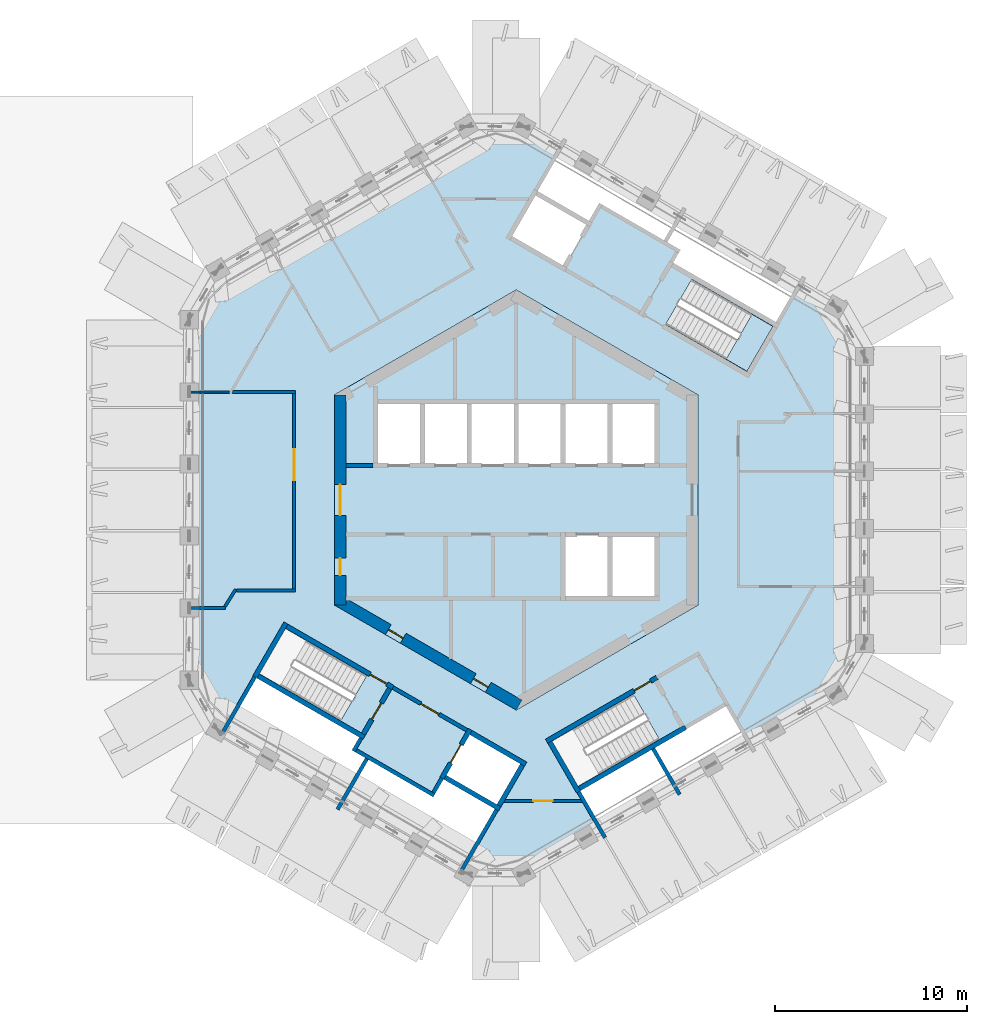
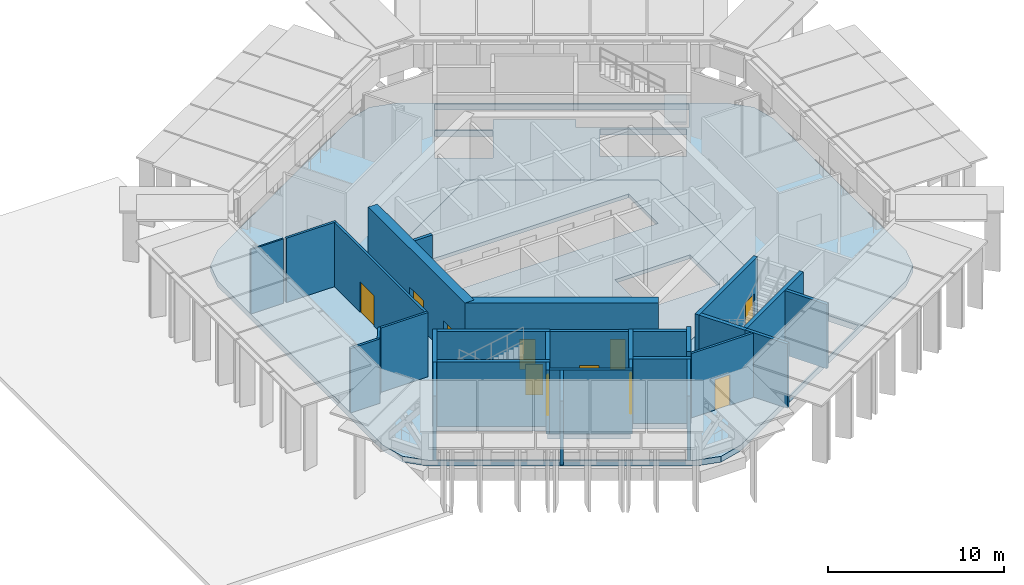
# One storey, part 6 of 15: 30 walls, 11 doors, 3 slabs, 11 openings, 1 element without a shape of its own.
"""IFC4 building model written with IfcOpenShell, lengths in metres."""

from ifc_helpers import new_model, si_unit, direction, frame, frame_2d, origin, place, context, subcontext, project, spatial, polyline, rectangle, outline, extrude, material, layer, layer_set, type_object, element, fill, aggregate, save


model = new_model("IFC4")

# Units and contexts
model_context = context("Model", 3, precision=1e-05, world=origin(), true_north=direction((0.0, 1.0)))
body_context = subcontext(model_context, "Body", "Model", "MODEL_VIEW")
ifc_project = project(units=[si_unit("LENGTHUNIT", "METRE"), si_unit("AREAUNIT", "SQUARE_METRE"), si_unit("VOLUMEUNIT", "CUBIC_METRE"), si_unit("PLANEANGLEUNIT", "RADIAN"), si_unit("MASSUNIT", "GRAM", prefix="KILO")], contexts=[model_context])

# Site, building, storey
site_placement = place(None, origin())
site = spatial("IfcSite", under=ifc_project, at=site_placement, CompositionType="ELEMENT")
building_placement = place(site_placement, origin())
building = spatial("IfcBuilding", under=site, at=building_placement, Name="Ayvan Gate Tower", CompositionType="ELEMENT")
storey_placement = place(building_placement, frame((0.0, 0.0, 214.10009765625)))
storey = spatial("IfcBuildingStorey", under=building, at=storey_placement, Name="L57", CompositionType="ELEMENT", Elevation=214.10009765625)

# Slabs
ifc_material_1 = material(Name="Concrete C40/50", Category="concrete")
ifc_layer_1 = layer(ifc_material_1, 0.39990234375)
ifc_layer_set_1 = layer_set([ifc_layer_1], Name="Concrete C40/50")
slab_type_1 = type_object("IfcSlabType", Name="Post-tensioned flat slab 400", PredefinedType="FLOOR", material=ifc_layer_set_1)
slab_1_placement = place(storey_placement, frame((0.0, 0.0, -0.400146484375)))
element("IfcSlab", 1, at=slab_1_placement, inside=storey, type_object=slab_type_1, Name="SL-L57", PredefinedType="FLOOR", context=body_context, shape_type="SweptSolid", body=[
    extrude(outline(polyline([(-15.61474609375, -11.98486328125), (-16.712890625, -10.88671875), (-17.11474609375, -9.38671875), (-17.11474609375, 9.38671875), (-16.712890625, 10.88671875), (-15.61474609375, 11.98486328125), (-2.57177734375, 19.51513671875), (-1.07177734375, 19.917236328125), (0.42822265625, 19.51513671875), (16.6865234375, 10.12841796875), (17.78466796875, 9.030517578125), (18.1865234375, 7.530517578125), (18.1865234375, -7.530517578125), (17.78466796875, -9.030517578125), (16.6865234375, -10.12841796875), (0.42822265625, -19.51513671875), (-1.07177734375, -19.917236328125), (-2.57177734375, -19.51513671875), (-15.61474609375, -11.98486328125)]), holes=[polyline([(8.042724609375, 12.33056640625), (13.58544921875, 9.130615234375), (14.74267578125, 11.13525390625), (2.27197265625, 18.335205078125), (1.0146484375, 16.157470703125), (3.87255859375, 14.50732421875), (4.37255859375, 15.373291015625), (7.75, 13.42333984375), (8.44287109375, 13.0234375), (8.042724609375, 12.33056640625)]), polyline([(7.80615234375, 9.170654296875), (12.049560546875, 6.720458984375), (13.404541015625, 9.0673828125), (9.1611328125, 11.517578125), (7.80615234375, 9.170654296875)]), polyline([(3.554931640625, -15.75732421875), (4.3505859375, -17.13525390625), (12.144775390625, -12.63525390625), (10.9873046875, -10.630615234375), (8.735595703125, -11.9306640625), (7.090087890625, -12.880615234375), (3.193115234375, -15.130615234375), (3.554931640625, -15.75732421875)]), polyline([(-9.5, -5.48486328125), (0.0, -10.9697265625), (9.5, -5.48486328125), (9.5, 5.48486328125), (0.0, 10.9697265625), (-9.5, 5.48486328125), (-9.5, -5.48486328125)]), polyline([(6.117431640625, -10.1455078125), (1.873779296875, -12.595458984375), (3.228759765625, -14.9423828125), (7.472412109375, -12.492431640625), (6.117431640625, -10.1455078125)]), polyline([(0.964599609375, 16.07080078125), (0.005126953125, 14.408935546875), (-0.2353515625, 13.9921875), (-0.2607421875, 13.9482421875), (-0.385498046875, 13.732421875), (1.08447265625, 12.8837890625), (1.123291015625, 12.861572265625), (2.472412109375, 12.08251953125), (3.822509765625, 14.420654296875), (0.964599609375, 16.07080078125)]), polyline([(-1.611083984375, -12.579833984375), (-2.472412109375, -12.08251953125), (-3.822509765625, -14.420654296875), (-0.964599609375, -16.07080078125), (-0.760498046875, -15.717041015625), (0.385498046875, -13.732421875), (-0.6962890625, -13.10791015625), (-1.611083984375, -12.579833984375)]), polyline([(-15.278564453125, -12.0634765625), (-2.807861328125, -19.263427734375), (-1.0146484375, -16.157470703125), (-3.87255859375, -14.50732421875), (-4.37255859375, -15.373291015625), (-7.75, -13.42333984375), (-8.44287109375, -13.0234375), (-8.042724609375, -12.33056640625), (-13.58544921875, -9.130615234375), (-15.278564453125, -12.0634765625)]), polyline([(-13.404541015625, -9.0673828125), (-9.1611328125, -11.517578125), (-7.80615234375, -9.170654296875), (-12.049560546875, -6.720458984375), (-13.404541015625, -9.0673828125)])]), origin(), (0.0, 0.0, 1.0), 0.400146484375),
])
ifc_layer_2 = layer(ifc_material_1, 0.25)
ifc_layer_set_2 = layer_set([ifc_layer_2], Name="Concrete C40/50")
slab_type_2 = type_object("IfcSlabType", Name="SL-CORE-250", PredefinedType="FLOOR", material=ifc_layer_set_2)
slab_2_placement = place(storey_placement, frame((0.0, 0.0, -0.25)))
element("IfcSlab", 2, at=slab_2_placement, inside=storey, type_object=slab_type_2, Name="CS-L57", PredefinedType="FLOOR", context=body_context, shape_type="SweptSolid", body=[
    extrude(outline(polyline([(9.5, -5.48486328125), (0.0, -10.9697265625), (-9.5, -5.48486328125), (-9.5, 5.48486328125), (0.0, 10.9697265625), (9.5, 5.48486328125), (9.5, -5.48486328125)]), holes=[polyline([(-7.35009765625, 5.14990234375), (-7.35009765625, 1.800048828125), (7.35009765625, 1.800048828125), (7.35009765625, 5.14990234375), (-7.35009765625, 5.14990234375)]), polyline([(2.449951171875, -1.800048828125), (2.449951171875, -5.14990234375), (7.35009765625, -5.14990234375), (7.35009765625, -1.800048828125), (2.449951171875, -1.800048828125)])]), origin(), (0.0, 0.0, 1.0), 0.25),
])

# Stair, slab
stair_type = type_object("IfcStairType", Name="ST-EXIT", PredefinedType="HALF_TURN_STAIR", material=ifc_material_1)
stair_placement = place(storey_placement, origin())
stair = element("IfcStair", 3, at=stair_placement, inside=storey, type_object=stair_type, Name="L57 Exit Stair S1", PredefinedType="HALF_TURN_STAIR")
ifc_layer_3 = layer(ifc_material_1, 0.199951171875)
ifc_layer_set_3 = layer_set([ifc_layer_3], Name="Concrete C40/50")
slab_type_3 = type_object("IfcSlabType", Name="SL-LANDING-200", PredefinedType="LANDING", material=ifc_layer_set_3)
slab_3_placement = place(storey_placement, frame((0.0, 0.0, 2.199951171875)))
slab_3 = element("IfcSlab", 4, at=slab_3_placement, type_object=slab_type_3, Name="STS1 landing 1", PredefinedType="LANDING", context=body_context, shape_type="SweptSolid", body=[
    extrude(outline(polyline([(10.95849609375, 7.3505859375), (12.049560546875, 6.720458984375), (13.404541015625, 9.0673828125), (12.3134765625, 9.697509765625), (10.95849609375, 7.3505859375)])), origin(), (0.0, 0.0, 1.0), 0.199951171875),
])
aggregate(stair, [slab_3])

# Wall, openings, doors
ifc_material_2 = material(Name="Concrete C60/75", Category="concrete")
ifc_layer_4 = layer(ifc_material_2, 0.60009765625)
ifc_layer_set_4 = layer_set([ifc_layer_4], Name="Concrete C60/75")
wall_type_1 = type_object("IfcWallType", Name="Core wall 600 C60/75", PredefinedType="SHEAR", material=ifc_layer_set_4)
wall_1_placement = place(storey_placement, frame((-9.199951171875, 5.48486328125, 0.0), z_axis=(0.0, 0.0, 1.0), x_axis=(0.0, -1.0, 0.0)))
wall_1 = element("IfcWall", 5, at=wall_1_placement, inside=storey, type_object=wall_type_1, Name="CORE-L57-3", PredefinedType="SHEAR", context=body_context, shape_type="SweptSolid", body=[
    extrude(rectangle(XDim=10.9697265625, YDim=0.60009765625, at=frame_2d((5.48486328125, 0.0))), origin(), (0.0, 0.0, 1.0), 4.7998046875),
])
opening_1_placement = place(wall_1_placement, frame((8.51611328125, 0.0, 0.0)))
opening_1 = element("IfcOpeningElement", 6, at=opening_1_placement, cuts=wall_1, Name="Opening L57-D39", PredefinedType="OPENING", context=body_context, shape_type="SweptSolid", body=[
    extrude(rectangle(XDim=0.89990234375, YDim=2.10009765625, at=frame_2d((0.449951171875, 1.050048828125))), frame((0.0, 0.31005859375, 0.0), z_axis=(0.0, -1.0, 0.0), x_axis=(1.0, 0.0, 0.0)), (0.0, 0.0, 1.0), 0.6201171875),
])
opening_2_placement = place(wall_1_placement, frame((4.684814453125, 0.0, 0.0)))
opening_2 = element("IfcOpeningElement", 7, at=opening_2_placement, cuts=wall_1, Name="Opening L57-D41", PredefinedType="OPENING", context=body_context, shape_type="SweptSolid", body=[
    extrude(rectangle(XDim=1.60009765625, YDim=2.10009765625, at=frame_2d((0.800048828125, 1.050048828125))), frame((0.0, 0.31005859375, 0.0), z_axis=(0.0, -1.0, 0.0), x_axis=(1.0, 0.0, 0.0)), (0.0, 0.0, 1.0), 0.6201171875),
])
ifc_material_3 = material(Name="Timber door leaf", Category="wood")
door_type_1 = type_object("IfcDoorType", Name="DT-1600", OperationType="NOTDEFINED", PredefinedType="DOOR", material=ifc_material_3)
door_1_placement = place(opening_2_placement, origin())
door_1 = element("IfcDoor", 8, at=door_1_placement, inside=storey, type_object=door_type_1, Name="CD-L57-41", OperationType="SINGLE_SWING_RIGHT", OverallHeight=2.10009765625, OverallWidth=1.60009765625, PredefinedType="DOOR", context=body_context, shape_type="SweptSolid", body=[
    extrude(rectangle(XDim=1.60009765625, YDim=2.10009765625, at=frame_2d((0.800048828125, 1.050048828125))), frame((0.0, 0.02490234375, 0.0), z_axis=(0.0, -1.0, 0.0), x_axis=(1.0, 0.0, 0.0)), (0.0, 0.0, 1.0), 0.050048828125),
])
fill(opening_2, door_1)
door_type_2 = type_object("IfcDoorType", Name="DT-900", OperationType="NOTDEFINED", PredefinedType="DOOR", material=ifc_material_3)
door_2_placement = place(opening_1_placement, origin())
door_2 = element("IfcDoor", 9, at=door_2_placement, inside=storey, type_object=door_type_2, Name="CD-L57-39", OperationType="SINGLE_SWING_RIGHT", OverallHeight=2.10009765625, OverallWidth=0.89990234375, PredefinedType="DOOR", context=body_context, shape_type="SweptSolid", body=[
    extrude(rectangle(XDim=0.89990234375, YDim=2.10009765625, at=frame_2d((0.449951171875, 1.050048828125))), frame((0.0, 0.02490234375, 0.0), z_axis=(0.0, -1.0, 0.0), x_axis=(1.0, 0.0, 0.0)), (0.0, 0.0, 1.0), 0.050048828125),
])
fill(opening_1, door_2)

wall_2_placement = place(storey_placement, frame((-9.35009765625, -5.22509765625, 0.0), z_axis=(0.0, 0.0, 1.0), x_axis=(0.866023993627, -0.500002442456, 0.0)))
wall_2 = element("IfcWall", 10, at=wall_2_placement, inside=storey, type_object=wall_type_1, Name="CORE-L57-4", PredefinedType="SHEAR", context=body_context, shape_type="SweptSolid", body=[
    extrude(rectangle(XDim=10.9697265625, YDim=0.60009765625, at=frame_2d((5.48486328125, 0.0))), origin(), (0.0, 0.0, 1.0), 4.7998046875),
])
opening_3_placement = place(wall_2_placement, frame((3.083984375, 0.0, 0.0)))
opening_3 = element("IfcOpeningElement", 11, at=opening_3_placement, cuts=wall_2, Name="Opening L57-D36", PredefinedType="OPENING", context=body_context, shape_type="SweptSolid", body=[
    extrude(rectangle(XDim=0.89990234375, YDim=2.10009765625, at=frame_2d((0.449951171875, 1.050048828125))), frame((0.0, 0.31005859375, 0.0), z_axis=(0.0, -1.0, 0.0), x_axis=(1.0, 0.0, 0.0)), (0.0, 0.0, 1.0), 0.6201171875),
])
opening_4_placement = place(wall_2_placement, frame((8.209716796875, 0.0, 0.0)))
opening_4 = element("IfcOpeningElement", 12, at=opening_4_placement, cuts=wall_2, Name="Opening L57-D37", PredefinedType="OPENING", context=body_context, shape_type="SweptSolid", body=[
    extrude(rectangle(XDim=0.89990234375, YDim=2.10009765625, at=frame_2d((0.449951171875, 1.050048828125))), frame((0.0, 0.31005859375, 0.0), z_axis=(0.0, -1.0, 0.0), x_axis=(1.0, 0.0, 0.0)), (0.0, 0.0, 1.0), 0.6201171875),
])
door_3_placement = place(opening_3_placement, origin())
door_3 = element("IfcDoor", 13, at=door_3_placement, inside=storey, type_object=door_type_2, Name="CD-L57-36", OperationType="SINGLE_SWING_LEFT", OverallHeight=2.10009765625, OverallWidth=0.89990234375, PredefinedType="DOOR", context=body_context, shape_type="SweptSolid", body=[
    extrude(rectangle(XDim=0.89990234375, YDim=2.10009765625, at=frame_2d((0.449951171875, 1.050048828125))), frame((0.0, 0.02490234375, 0.0), z_axis=(0.0, -1.0, 0.0), x_axis=(1.0, 0.0, 0.0)), (0.0, 0.0, 1.0), 0.050048828125),
])
fill(opening_3, door_3)
door_4_placement = place(opening_4_placement, origin())
door_4 = element("IfcDoor", 14, at=door_4_placement, inside=storey, type_object=door_type_2, Name="CD-L57-37", OperationType="SINGLE_SWING_RIGHT", OverallHeight=2.10009765625, OverallWidth=0.89990234375, PredefinedType="DOOR", context=body_context, shape_type="SweptSolid", body=[
    extrude(rectangle(XDim=0.89990234375, YDim=2.10009765625, at=frame_2d((0.449951171875, 1.050048828125))), frame((0.0, 0.02490234375, 0.0), z_axis=(0.0, -1.0, 0.0), x_axis=(1.0, 0.0, 0.0)), (0.0, 0.0, 1.0), 0.050048828125),
])
fill(opening_4, door_4)

# Walls
ifc_material_4 = material(Name="Plasterboard on steel stud", Category="steel")
ifc_layer_5 = layer(ifc_material_4, 0.14990234375)
ifc_layer_set_5 = layer_set([ifc_layer_5], Name="Plasterboard on steel stud")
wall_type_2 = type_object("IfcWallType", Name="WT-CORR-150", PredefinedType="PARTITIONING", material=ifc_layer_set_5)
wall_3_placement = place(storey_placement, frame((-17.11474609375, -5.632080078125, 0.0), z_axis=(0.0, 0.0, 1.0), x_axis=(1.0, 0.0, 0.0)))
element("IfcWall", 15, at=wall_3_placement, inside=storey, type_object=wall_type_2, Name="IW-L57-000", PredefinedType="PARTITIONING", context=body_context, shape_type="SweptSolid", body=[
    extrude(rectangle(XDim=1.939208984375, YDim=0.14990234375, at=frame_2d((0.9697265625, 0.0))), origin(), (0.0, 0.0, 1.0), 4.449951171875),
])
wall_4_placement = place(storey_placement, frame((-15.210693359375, -5.568603515625, 0.0), z_axis=(0.0, 0.0, 1.0), x_axis=(0.530432882969, 0.847726935201, 0.0)))
element("IfcWall", 16, at=wall_4_placement, inside=storey, type_object=wall_type_2, Name="IW-L57-003", PredefinedType="PARTITIONING", context=body_context, shape_type="SweptSolid", body=[
    extrude(rectangle(XDim=1.061767578125, YDim=0.14990234375, at=frame_2d((0.53076171875, 0.0))), origin(), (0.0, 0.0, 1.0), 4.449951171875),
])
wall_5_placement = place(storey_placement, frame((-14.6123046875, -4.73193359375, 0.0), z_axis=(0.0, 0.0, 1.0), x_axis=(1.0, 0.0, 0.0)))
element("IfcWall", 17, at=wall_5_placement, inside=storey, type_object=wall_type_2, Name="IW-L57-005", PredefinedType="PARTITIONING", context=body_context, shape_type="SweptSolid", body=[
    extrude(rectangle(XDim=3.08740234375, YDim=0.14990234375, at=frame_2d((1.543701171875, 0.0))), origin(), (0.0, 0.0, 1.0), 4.449951171875),
])
wall_6_placement = place(storey_placement, frame((-11.52490234375, 5.632080078125, 0.0), z_axis=(0.0, 0.0, 1.0), x_axis=(-1.0, 0.0, 0.0)))
element("IfcWall", 18, at=wall_6_placement, inside=storey, type_object=wall_type_2, Name="IW-L57-010", PredefinedType="PARTITIONING", context=body_context, shape_type="SweptSolid", body=[
    extrude(rectangle(XDim=3.297119140625, YDim=0.14990234375, at=frame_2d((1.6484375, 0.0))), origin(), (0.0, 0.0, 1.0), 4.449951171875),
])

# Wall, opening, door
wall_7_placement = place(storey_placement, frame((-11.60009765625, -4.656982421875, 0.0), z_axis=(0.0, 0.0, 1.0), x_axis=(0.0, 1.0, 0.0)))
wall_7 = element("IfcWall", 19, at=wall_7_placement, inside=storey, type_object=wall_type_2, Name="IW-L57-011", PredefinedType="PARTITIONING", context=body_context, shape_type="SweptSolid", body=[
    extrude(rectangle(XDim=10.2138671875, YDim=0.14990234375, at=frame_2d((5.10693359375, 0.0))), origin(), (0.0, 0.0, 1.0), 4.449951171875),
])
opening_5_placement = place(wall_7_placement, frame((5.698486328125, 0.0, 0.0)))
opening_5 = element("IfcOpeningElement", 20, at=opening_5_placement, cuts=wall_7, Name="Opening L57-D23", PredefinedType="OPENING", context=body_context, shape_type="SweptSolid", body=[
    extrude(rectangle(XDim=1.60009765625, YDim=2.10009765625, at=frame_2d((0.800048828125, 1.050048828125))), frame((0.0, 0.0849609375, 0.0), z_axis=(0.0, -1.0, 0.0), x_axis=(1.0, 0.0, 0.0)), (0.0, 0.0, 1.0), 0.169921875),
])
door_5_placement = place(opening_5_placement, origin())
door_5 = element("IfcDoor", 21, at=door_5_placement, inside=storey, type_object=door_type_1, Name="ID-L57-023", OperationType="SINGLE_SWING_RIGHT", OverallHeight=2.10009765625, OverallWidth=1.60009765625, PredefinedType="DOOR", context=body_context, shape_type="SweptSolid", body=[
    extrude(rectangle(XDim=1.60009765625, YDim=2.10009765625, at=frame_2d((0.800048828125, 1.050048828125))), frame((0.0, 0.02490234375, 0.0), z_axis=(0.0, -1.0, 0.0), x_axis=(1.0, 0.0, 0.0)), (0.0, 0.0, 1.0), 0.050048828125),
])
fill(opening_5, door_5)

wall_8_placement = place(storey_placement, frame((3.431640625, -15.717041015625, 0.0), z_axis=(0.0, 0.0, 1.0), x_axis=(-1.0, 0.0, 0.0)))
wall_8 = element("IfcWall", 22, at=wall_8_placement, inside=storey, type_object=wall_type_2, Name="IW-L57-059", PredefinedType="PARTITIONING", context=body_context, shape_type="SweptSolid", body=[
    extrude(rectangle(XDim=4.067138671875, YDim=0.14990234375, at=frame_2d((2.03369140625, 0.0))), origin(), (0.0, 0.0, 1.0), 4.449951171875),
])
opening_6_placement = place(wall_8_placement, frame((1.53369140625, 0.0, 0.0)))
opening_6 = element("IfcOpeningElement", 23, at=opening_6_placement, cuts=wall_8, Name="Opening L57-D29", PredefinedType="OPENING", context=body_context, shape_type="SweptSolid", body=[
    extrude(rectangle(XDim=1.0, YDim=2.10009765625, at=frame_2d((0.5, 1.050048828125))), frame((0.0, 0.0849609375, 0.0), z_axis=(0.0, -1.0, 0.0), x_axis=(1.0, 0.0, 0.0)), (0.0, 0.0, 1.0), 0.169921875),
])
door_type_3 = type_object("IfcDoorType", Name="DT-1000", OperationType="NOTDEFINED", PredefinedType="DOOR", material=ifc_material_3)
door_6_placement = place(opening_6_placement, origin())
door_6 = element("IfcDoor", 24, at=door_6_placement, inside=storey, type_object=door_type_3, Name="ID-L57-029", OperationType="SINGLE_SWING_RIGHT", OverallHeight=2.10009765625, OverallWidth=1.0, PredefinedType="DOOR", context=body_context, shape_type="SweptSolid", body=[
    extrude(rectangle(XDim=1.0, YDim=2.10009765625, at=frame_2d((0.5, 1.050048828125))), frame((0.0, 0.02490234375, 0.0), z_axis=(0.0, -1.0, 0.0), x_axis=(1.0, 0.0, 0.0)), (0.0, 0.0, 1.0), 0.050048828125),
])
fill(opening_6, door_6)

# Walls
ifc_layer_6 = layer(ifc_material_4, 0.10009765625)
ifc_layer_set_6 = layer_set([ifc_layer_6], Name="Plasterboard on steel stud")
wall_type_3 = type_object("IfcWallType", Name="WT-PART-100", PredefinedType="PARTITIONING", material=ifc_layer_set_6)
wall_9_placement = place(storey_placement, frame((-17.11474609375, 5.632080078125, 0.0), z_axis=(0.0, 0.0, 1.0), x_axis=(1.0, 0.0, 0.0)))
element("IfcWall", 25, at=wall_9_placement, inside=storey, type_object=wall_type_3, Name="IW-L57-001", PredefinedType="PARTITIONING", context=body_context, shape_type="SweptSolid", body=[
    extrude(rectangle(XDim=2.14306640625, YDim=0.10009765625, at=frame_2d((1.071533203125, 0.0))), origin(), (0.0, 0.0, 1.0), 4.449951171875),
])
ifc_layer_7 = layer(ifc_material_4, 0.199951171875)
ifc_layer_set_7 = layer_set([ifc_layer_7], Name="Plasterboard on steel stud")
wall_type_4 = type_object("IfcWallType", Name="WT-PLUMB-200", PredefinedType="PLUMBINGWALL", material=ifc_layer_set_7)
wall_10_placement = place(storey_placement, frame((-15.32861328125, -12.14990234375, 0.0), z_axis=(0.0, 0.0, 1.0), x_axis=(0.49998231768, 0.866035612436, 0.0)))
element("IfcWall", 26, at=wall_10_placement, inside=storey, type_object=wall_type_4, Name="IW-L57-002", PredefinedType="PLUMBINGWALL", context=body_context, shape_type="SweptSolid", body=[
    extrude(rectangle(XDim=3.361328125, YDim=0.199951171875, at=frame_2d((1.6806640625, 0.0))), origin(), (0.0, 0.0, 1.0), 4.449951171875),
])
wall_11_placement = place(storey_placement, frame((-8.492919921875, -13.110107421875, 0.0), z_axis=(0.0, 0.0, 1.0), x_axis=(0.500067724834, 0.865986299303, 0.0)))
element("IfcWall", 27, at=wall_11_placement, inside=storey, type_object=wall_type_4, Name="IW-L57-015", PredefinedType="PLUMBINGWALL", context=body_context, shape_type="SweptSolid", body=[
    extrude(rectangle(XDim=0.775390625, YDim=0.199951171875, at=frame_2d((0.3876953125, 0.0))), origin(), (0.0, 0.0, 1.0), 4.449951171875),
])
wall_12_placement = place(storey_placement, frame((-7.800048828125, -13.510009765625, 0.0), z_axis=(0.0, 0.0, 1.0), x_axis=(-0.500003532061, -0.866023364538, 0.0)))
element("IfcWall", 28, at=wall_12_placement, inside=storey, type_object=wall_type_4, Name="IW-L57-017", PredefinedType="PLUMBINGWALL", context=body_context, shape_type="SweptSolid", body=[
    extrude(rectangle(XDim=3.0576171875, YDim=0.199951171875, at=frame_2d((1.52880859375, 0.0))), origin(), (0.0, 0.0, 1.0), 4.449951171875),
])
wall_13_placement = place(storey_placement, frame((-8.356201171875, -13.073486328125, 0.0), z_axis=(0.0, 0.0, 1.0), x_axis=(0.866038532462, -0.499977259774, 0.0)))
element("IfcWall", 29, at=wall_13_placement, inside=storey, type_object=wall_type_4, Name="IW-L57-018", PredefinedType="PLUMBINGWALL", context=body_context, shape_type="SweptSolid", body=[
    extrude(rectangle(XDim=4.699951171875, YDim=0.199951171875, at=frame_2d((2.35009765625, 0.0))), origin(), (0.0, 0.0, 1.0), 4.449951171875),
])
wall_14_placement = place(storey_placement, frame((-3.885009765625, -14.52880859375, 0.0), z_axis=(0.0, 0.0, 1.0), x_axis=(-0.499859285417, -0.866106630146, 0.0)))
element("IfcWall", 30, at=wall_14_placement, inside=storey, type_object=wall_type_4, Name="IW-L57-028", PredefinedType="PLUMBINGWALL", context=body_context, shape_type="SweptSolid", body=[
    extrude(rectangle(XDim=0.875244140625, YDim=0.199951171875, at=frame_2d((0.4375, 0.0))), origin(), (0.0, 0.0, 1.0), 4.449951171875),
])
wall_15_placement = place(storey_placement, frame((-1.027099609375, -16.178955078125, 0.0), z_axis=(0.0, 0.0, 1.0), x_axis=(-0.499989866495, -0.866031254287, 0.0)))
element("IfcWall", 31, at=wall_15_placement, inside=storey, type_object=wall_type_4, Name="IW-L57-044", PredefinedType="PLUMBINGWALL", context=body_context, shape_type="SweptSolid", body=[
    extrude(rectangle(XDim=3.66162109375, YDim=0.199951171875, at=frame_2d((1.830810546875, 0.0))), origin(), (0.0, 0.0, 1.0), 4.449951171875),
])
for number, where, z_axis, x_axis, name in (
    (32, (3.255615234375, -15.23876953125, 0.0), (0.0, 0.0, 1.0), (0.500000584575, -0.86602506628, 0.0), "IW-L57-060"),
    (33, (7.152587890625, -12.98876953125, 0.0), (0.0, 0.0, 1.0), (0.500066904928, -0.86598677276, 0.0), "IW-L57-069"),
):
    element("IfcWall", number, at=place(storey_placement, frame(where, z_axis=z_axis, x_axis=x_axis)), inside=storey, type_object=wall_type_4, Name=name, PredefinedType="PLUMBINGWALL", context=body_context, shape_type="SweptSolid", body=[
        extrude(rectangle(XDim=2.7607421875, YDim=0.199951171875, at=frame_2d((1.38037109375, 0.0))), origin(), (0.0, 0.0, 1.0), 4.449951171875),
    ])
ifc_layer_8 = layer(ifc_material_4, 0.199951171875)
ifc_layer_set_8 = layer_set([ifc_layer_8], Name="Plasterboard on steel stud")
wall_type_5 = type_object("IfcWallType", Name="WT-RATED-200", PredefinedType="PARTITIONING", material=ifc_layer_set_8)
wall_16_placement = place(storey_placement, frame((-8.89990234375, 1.800048828125, 0.0), z_axis=(0.0, 0.0, 1.0), x_axis=(1.0, 0.0, 0.0)))
element("IfcWall", 34, at=wall_16_placement, inside=storey, type_object=wall_type_5, Name="IW-L57-013", PredefinedType="PARTITIONING", context=body_context, shape_type="SweptSolid", body=[
    extrude(rectangle(XDim=1.425048828125, YDim=0.199951171875, at=frame_2d((0.71240234375, 0.0))), origin(), (0.0, 0.0, 1.0), 4.449951171875),
])

# Wall, opening, door
wall_17_placement = place(storey_placement, frame((-6.4345703125, -9.794921875, 0.0), z_axis=(0.0, 0.0, 1.0), x_axis=(0.866012907634, -0.500021643343, 0.0)))
wall_17 = element("IfcWall", 35, at=wall_17_placement, inside=storey, type_object=wall_type_5, Name="IW-L57-024", PredefinedType="PARTITIONING", context=body_context, shape_type="SweptSolid", body=[
    extrude(rectangle(XDim=4.449951171875, YDim=0.199951171875, at=frame_2d((2.22509765625, 0.0))), origin(), (0.0, 0.0, 1.0), 4.449951171875),
])
opening_7_placement = place(wall_17_placement, frame((1.675048828125, 0.0, 0.0)))
opening_7 = element("IfcOpeningElement", 36, at=opening_7_placement, cuts=wall_17, Name="Opening L57-D17", PredefinedType="OPENING", context=body_context, shape_type="SweptSolid", body=[
    extrude(rectangle(XDim=1.10009765625, YDim=2.10009765625, at=frame_2d((0.550048828125, 1.050048828125))), frame((0.0, 0.10986328125, 0.0), z_axis=(0.0, -1.0, 0.0), x_axis=(1.0, 0.0, 0.0)), (0.0, 0.0, 1.0), 0.219970703125),
])
door_type_4 = type_object("IfcDoorType", Name="DT-1100", OperationType="NOTDEFINED", PredefinedType="DOOR", material=ifc_material_3)
door_7_placement = place(opening_7_placement, origin())
door_7 = element("IfcDoor", 37, at=door_7_placement, inside=storey, type_object=door_type_4, Name="ID-L57-017", OperationType="SINGLE_SWING_RIGHT", OverallHeight=2.10009765625, OverallWidth=1.10009765625, PredefinedType="DOOR", context=body_context, shape_type="SweptSolid", body=[
    extrude(rectangle(XDim=1.10009765625, YDim=2.10009765625, at=frame_2d((0.550048828125, 1.050048828125))), frame((0.0, 0.02490234375, 0.0), z_axis=(0.0, -1.0, 0.0), x_axis=(1.0, 0.0, 0.0)), (0.0, 0.0, 1.0), 0.050048828125),
])
fill(opening_7, door_7)

# Wall
ifc_material_5 = material(Name="Concrete C50/60", Category="concrete")
ifc_layer_9 = layer(ifc_material_5, 0.25)
ifc_layer_set_9 = layer_set([ifc_layer_9], Name="Concrete C50/60")
wall_type_6 = type_object("IfcWallType", Name="WT-RC-250", PredefinedType="SHEAR", material=ifc_layer_set_9)
wall_18_placement = place(storey_placement, frame((-13.64794921875, -9.23876953125, 0.0), z_axis=(0.0, 0.0, 1.0), x_axis=(0.500017246033, 0.866015446554, 0.0)))
element("IfcWall", 38, at=wall_18_placement, inside=storey, type_object=wall_type_6, Name="IW-L57-006", PredefinedType="SHEAR", context=body_context, shape_type="SweptSolid", body=[
    extrude(rectangle(XDim=3.25, YDim=0.25, at=frame_2d((1.625, 0.0))), origin(), (0.0, 0.0, 1.0), 4.449951171875),
])

# Wall, opening, door
wall_19_placement = place(storey_placement, frame((-11.97705078125, -6.594970703125, 0.0), z_axis=(0.0, 0.0, 1.0), x_axis=(0.866025499775, -0.499999833739, 0.0)))
wall_19 = element("IfcWall", 39, at=wall_19_placement, inside=storey, type_object=wall_type_6, Name="IW-L57-008", PredefinedType="SHEAR", context=body_context, shape_type="SweptSolid", body=[
    extrude(rectangle(XDim=6.39990234375, YDim=0.25, at=frame_2d((3.199951171875, 0.0))), origin(), (0.0, 0.0, 1.0), 4.449951171875),
])
opening_8_placement = place(wall_19_placement, frame((5.02490234375, 0.0, 0.0)))
opening_8 = element("IfcOpeningElement", 40, at=opening_8_placement, cuts=wall_19, Name="Opening L57-D15", PredefinedType="OPENING", context=body_context, shape_type="SweptSolid", body=[
    extrude(rectangle(XDim=1.0, YDim=2.10009765625, at=frame_2d((0.5, 1.050048828125))), frame((0.0, 0.135009765625, 0.0), z_axis=(0.0, -1.0, 0.0), x_axis=(1.0, 0.0, 0.0)), (0.0, 0.0, 1.0), 0.27001953125),
])
door_8_placement = place(opening_8_placement, origin())
door_8 = element("IfcDoor", 41, at=door_8_placement, inside=storey, type_object=door_type_3, Name="ID-L57-015", OperationType="SINGLE_SWING_RIGHT", OverallHeight=2.10009765625, OverallWidth=1.0, PredefinedType="DOOR", context=body_context, shape_type="SweptSolid", body=[
    extrude(rectangle(XDim=1.0, YDim=2.10009765625, at=frame_2d((0.5, 1.050048828125))), frame((0.0, 0.02490234375, 0.0), z_axis=(0.0, -1.0, 0.0), x_axis=(1.0, 0.0, 0.0)), (0.0, 0.0, 1.0), 0.050048828125),
])
fill(opening_8, door_8)

# Wall
wall_20_placement = place(storey_placement, frame((-7.9345703125, -12.39306640625, 0.0), z_axis=(0.0, 0.0, 1.0), x_axis=(-0.866025499775, 0.499999833739, 0.0)))
element("IfcWall", 42, at=wall_20_placement, inside=storey, type_object=wall_type_6, Name="IW-L57-016", PredefinedType="SHEAR", context=body_context, shape_type="SweptSolid", body=[
    extrude(rectangle(XDim=6.39990234375, YDim=0.25, at=frame_2d((3.199951171875, 0.0))), origin(), (0.0, 0.0, 1.0), 4.449951171875),
])

# Wall, opening, door
wall_21_placement = place(storey_placement, frame((-6.605224609375, -9.8408203125, 0.0), z_axis=(0.0, 0.0, 1.0), x_axis=(-0.499996545922, -0.866027397988, 0.0)))
wall_21 = element("IfcWall", 43, at=wall_21_placement, inside=storey, type_object=wall_type_6, Name="IW-L57-023", PredefinedType="SHEAR", context=body_context, shape_type="SweptSolid", body=[
    extrude(rectangle(XDim=2.75, YDim=0.25, at=frame_2d((1.375, 0.0))), origin(), (0.0, 0.0, 1.0), 4.449951171875),
])
opening_9_placement = place(wall_21_placement, frame((0.875, 0.0, 0.0)))
opening_9 = element("IfcOpeningElement", 44, at=opening_9_placement, cuts=wall_21, Name="Opening L57-D16", PredefinedType="OPENING", context=body_context, shape_type="SweptSolid", body=[
    extrude(rectangle(XDim=1.0, YDim=2.10009765625, at=frame_2d((0.5, 1.050048828125))), frame((0.0, 0.135009765625, 0.0), z_axis=(0.0, -1.0, 0.0), x_axis=(1.0, 0.0, 0.0)), (0.0, 0.0, 1.0), 0.27001953125),
])
door_9_placement = place(opening_9_placement, origin())
door_9 = element("IfcDoor", 45, at=door_9_placement, inside=storey, type_object=door_type_3, Name="ID-L57-016", OperationType="SINGLE_SWING_LEFT", OverallHeight=2.10009765625, OverallWidth=1.0, PredefinedType="DOOR", context=body_context, shape_type="SweptSolid", body=[
    extrude(rectangle(XDim=1.0, YDim=2.10009765625, at=frame_2d((0.5, 1.050048828125))), frame((0.0, 0.02490234375, 0.0), z_axis=(0.0, -1.0, 0.0), x_axis=(1.0, 0.0, 0.0)), (0.0, 0.0, 1.0), 0.050048828125),
])
fill(opening_9, door_9)

wall_22_placement = place(storey_placement, frame((-2.409912109375, -11.97412109375, 0.0), z_axis=(0.0, 0.0, 1.0), x_axis=(-0.500001826776, -0.866024349092, 0.0)))
wall_22 = element("IfcWall", 46, at=wall_22_placement, inside=storey, type_object=wall_type_6, Name="IW-L57-038", PredefinedType="SHEAR", context=body_context, shape_type="SweptSolid", body=[
    extrude(rectangle(XDim=2.9501953125, YDim=0.25, at=frame_2d((1.47509765625, 0.0))), origin(), (0.0, 0.0, 1.0), 4.449951171875),
])
opening_10_placement = place(wall_22_placement, frame((0.925048828125, 0.0, 0.0)))
opening_10 = element("IfcOpeningElement", 47, at=opening_10_placement, cuts=wall_22, Name="Opening L57-LD-FF2", PredefinedType="OPENING", context=body_context, shape_type="SweptSolid", body=[
    extrude(rectangle(XDim=1.10009765625, YDim=2.10009765625, at=frame_2d((0.550048828125, 1.050048828125))), frame((0.0, 0.135009765625, 0.0), z_axis=(0.0, -1.0, 0.0), x_axis=(1.0, 0.0, 0.0)), (0.0, 0.0, 1.0), 0.27001953125),
])
ifc_material_6 = material(Name="Stainless steel landing door", Category="steel")
door_type_5 = type_object("IfcDoorType", Name="DT-LANDING-1100", OperationType="SLIDING_TO_LEFT", PredefinedType="DOOR", material=ifc_material_6)
door_10_placement = place(opening_10_placement, origin())
door_10 = element("IfcDoor", 48, at=door_10_placement, inside=storey, type_object=door_type_5, Name="ID-L57-018", OperationType="SLIDING_TO_LEFT", OverallHeight=2.10009765625, OverallWidth=1.10009765625, PredefinedType="DOOR", context=body_context, shape_type="SweptSolid", body=[
    extrude(rectangle(XDim=1.10009765625, YDim=2.10009765625, at=frame_2d((0.550048828125, 1.050048828125))), frame((0.0, 0.02490234375, 0.0), z_axis=(0.0, -1.0, 0.0), x_axis=(1.0, 0.0, 0.0)), (0.0, 0.0, 1.0), 0.050048828125),
])
fill(opening_10, door_10)

# Walls
wall_23_placement = place(storey_placement, frame((-2.3642578125, -12.14501953125, 0.0), z_axis=(0.0, 0.0, 1.0), x_axis=(0.866040211805, -0.499974350878, 0.0)))
element("IfcWall", 49, at=wall_23_placement, inside=storey, type_object=wall_type_6, Name="IW-L57-039", PredefinedType="SHEAR", context=body_context, shape_type="SweptSolid", body=[
    extrude(rectangle(XDim=3.300048828125, YDim=0.25, at=frame_2d((1.64990234375, 0.0))), origin(), (0.0, 0.0, 1.0), 4.449951171875),
])
wall_24_placement = place(storey_placement, frame((-0.8564453125, -16.13330078125, 0.0), z_axis=(0.0, 0.0, 1.0), x_axis=(-0.866021716278, 0.500006386895, 0.0)))
element("IfcWall", 50, at=wall_24_placement, inside=storey, type_object=wall_type_6, Name="IW-L57-043", PredefinedType="SHEAR", context=body_context, shape_type="SweptSolid", body=[
    extrude(rectangle(XDim=3.2998046875, YDim=0.25, at=frame_2d((1.64990234375, 0.0))), origin(), (0.0, 0.0, 1.0), 4.449951171875),
])
wall_25_placement = place(storey_placement, frame((-0.902099609375, -15.96240234375, 0.0), z_axis=(0.0, 0.0, 1.0), x_axis=(0.500061746146, 0.865989751695, 0.0)))
element("IfcWall", 51, at=wall_25_placement, inside=storey, type_object=wall_type_6, Name="IW-L57-045", PredefinedType="SHEAR", context=body_context, shape_type="SweptSolid", body=[
    extrude(rectangle(XDim=2.449951171875, YDim=0.25, at=frame_2d((1.22509765625, 0.0))), origin(), (0.0, 0.0, 1.0), 4.7998046875),
])

# Wall, opening, door
wall_26_placement = place(storey_placement, frame((1.584716796875, -12.594970703125, 0.0), z_axis=(0.0, 0.0, 1.0), x_axis=(0.866036417653, 0.499980922934, 0.0)))
wall_26 = element("IfcWall", 52, at=wall_26_placement, inside=storey, type_object=wall_type_6, Name="IW-L57-052", PredefinedType="SHEAR", context=body_context, shape_type="SweptSolid", body=[
    extrude(rectangle(XDim=6.650146484375, YDim=0.25, at=frame_2d((3.3251953125, 0.0))), origin(), (0.0, 0.0, 1.0), 4.449951171875),
])
opening_11_placement = place(wall_26_placement, frame((5.27490234375, 0.0, 0.0)))
opening_11 = element("IfcOpeningElement", 53, at=opening_11_placement, cuts=wall_26, Name="Opening L57-D19", PredefinedType="OPENING", context=body_context, shape_type="SweptSolid", body=[
    extrude(rectangle(XDim=1.0, YDim=2.10009765625, at=frame_2d((0.5, 1.050048828125))), frame((0.0, 0.135009765625, 0.0), z_axis=(0.0, -1.0, 0.0), x_axis=(1.0, 0.0, 0.0)), (0.0, 0.0, 1.0), 0.27001953125),
])
door_11_placement = place(opening_11_placement, origin())
door_11 = element("IfcDoor", 54, at=door_11_placement, inside=storey, type_object=door_type_3, Name="ID-L57-019", OperationType="SINGLE_SWING_RIGHT", OverallHeight=2.10009765625, OverallWidth=1.0, PredefinedType="DOOR", context=body_context, shape_type="SweptSolid", body=[
    extrude(rectangle(XDim=1.0, YDim=2.10009765625, at=frame_2d((0.5, 1.050048828125))), frame((0.0, 0.02490234375, 0.0), z_axis=(0.0, -1.0, 0.0), x_axis=(1.0, 0.0, 0.0)), (0.0, 0.0, 1.0), 0.050048828125),
])
fill(opening_11, door_11)

# Walls
wall_27_placement = place(storey_placement, frame((3.255615234375, -15.23876953125, 0.0), z_axis=(0.0, 0.0, 1.0), x_axis=(-0.50002537861, 0.866010750942, 0.0)))
element("IfcWall", 55, at=wall_27_placement, inside=storey, type_object=wall_type_6, Name="IW-L57-058", PredefinedType="SHEAR", context=body_context, shape_type="SweptSolid", body=[
    extrude(rectangle(XDim=2.999755859375, YDim=0.25, at=frame_2d((1.5, 0.0))), origin(), (0.0, 0.0, 1.0), 4.449951171875),
])
wall_28_placement = place(storey_placement, frame((3.30126953125, -15.068115234375, 0.0), z_axis=(0.0, 0.0, 1.0), x_axis=(0.866035036182, 0.499983315828, 0.0)))
element("IfcWall", 56, at=wall_28_placement, inside=storey, type_object=wall_type_6, Name="IW-L57-070", PredefinedType="SHEAR", context=body_context, shape_type="SweptSolid", body=[
    extrude(rectangle(XDim=6.400146484375, YDim=0.25, at=frame_2d((3.2001953125, 0.0))), origin(), (0.0, 0.0, 1.0), 4.449951171875),
])

save(model, "model.ifc")
